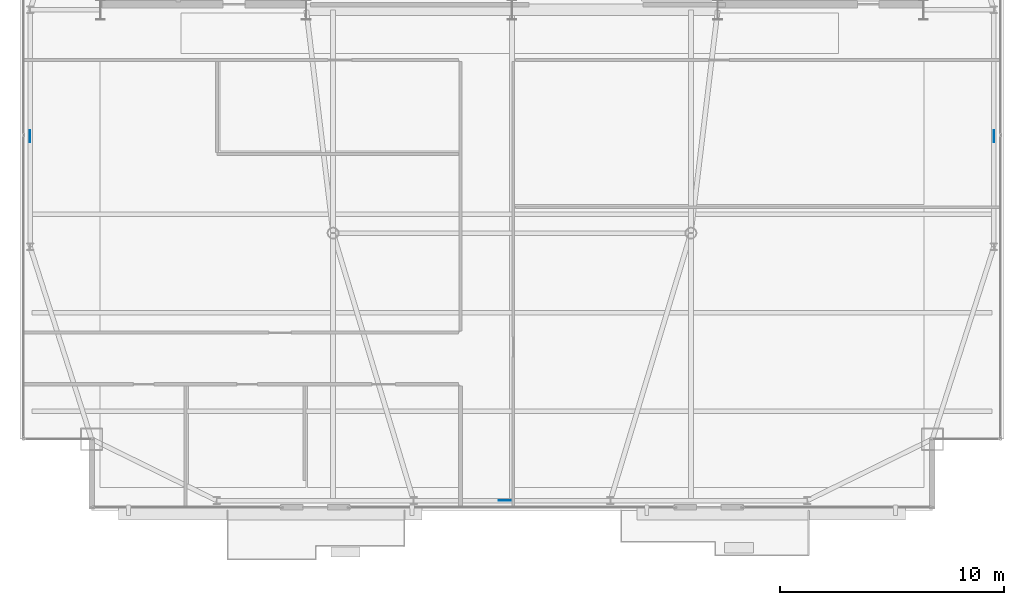
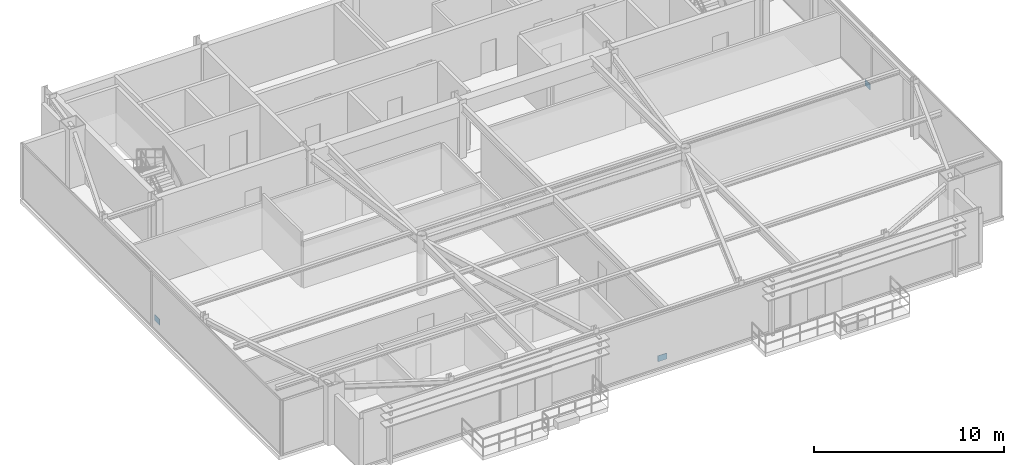
# One storey, part 19 of 24: 3 plates.
"""IFC4 building model written with IfcOpenShell, lengths in metres."""

import ifcopenshell
import ifcopenshell.guid

model = None  # the IFC model being written
_history = None  # IfcOwnerHistory: only IFC2X3 demands one
_inside = {}  # id of a spatial element -> (the spatial element, [elements in it])
_under = {}  # id of a project, library or spatial element -> (it, [spatial elements below it])
_declared = {}  # id of a project -> (the project, [libraries it declares])
_typed = {}  # id of a type object -> (the type object, [elements of that type])
_made_of = {}  # id of a material, layer set ... -> (it, [elements and type objects made of it])


def new_model(schema):
    """Start an empty IFC model of exactly this schema.

    Asked for "IFC4X3", IfcOpenShell would pick the latest addendum, in which some entities
    have other attributes; the version numbers below select the first issue.
    IFC2X3 requires an IfcOwnerHistory on every rooted entity: one is made here for all.
    """
    global model, _history
    if schema == "IFC4X3":
        model = ifcopenshell.file(schema_version=(4, 3, 0, 0))
    else:
        model = ifcopenshell.file(schema=schema)
    _inside.clear()
    _under.clear()
    _declared.clear()
    _typed.clear()
    _made_of.clear()
    _history = None
    if model.schema == "IFC2X3":
        org = make("IfcOrganization", Name="unknown")
        user = make(
            "IfcPersonAndOrganization",
            ThePerson=make("IfcPerson", FamilyName="unknown"),
            TheOrganization=org,
        )
        app = make(
            "IfcApplication",
            ApplicationDeveloper=org,
            Version="unknown",
            ApplicationFullName="unknown",
            ApplicationIdentifier="unknown",
        )
        _history = make(
            "IfcOwnerHistory",
            OwningUser=user,
            OwningApplication=app,
            ChangeAction="ADDED",
            CreationDate=0,
        )
    return model


def make(cls, **values):
    """One entity of the class cls with the attributes given. An attribute that is None is left unset."""
    return model.create_entity(
        cls, **{name: value for name, value in values.items() if value is not None}
    )


def rooted(cls, **values):
    """An entity with a GlobalId (a new one), such as an element, a storey or a relation."""
    return make(cls, GlobalId=ifcopenshell.guid.new(), OwnerHistory=_history, **values)


def si_unit(unit_type, name, prefix=None):
    """IfcSIUnit, for example si_unit("LENGTHUNIT", "METRE", prefix="MILLI")."""
    return make("IfcSIUnit", UnitType=unit_type, Prefix=prefix, Name=name)


def assignment(units):
    """IfcUnitAssignment: the units of a project."""
    return None if units is None else make("IfcUnitAssignment", Units=units)


def point(xyz):
    """IfcCartesianPoint."""
    return None if xyz is None else make("IfcCartesianPoint", Coordinates=xyz)


def direction(xyz):
    """IfcDirection."""
    return None if xyz is None else make("IfcDirection", DirectionRatios=xyz)


def frame(location, z_axis=None, x_axis=None):
    """IfcAxis2Placement3D, a coordinate frame: its origin and axes. An axis left out is left unset."""
    return make(
        "IfcAxis2Placement3D",
        Location=point(location),
        Axis=direction(z_axis),
        RefDirection=direction(x_axis),
    )


def frame_2d(location, x_axis=None):
    """IfcAxis2Placement2D, a coordinate frame in the plane: its origin and x axis."""
    return make(
        "IfcAxis2Placement2D", Location=point(location), RefDirection=direction(x_axis)
    )


def origin():
    """The frame at (0, 0, 0) with its axes left unset."""
    return frame((0.0, 0.0, 0.0))


def origin_2d():
    """The frame at (0, 0) in the plane with its x axis left unset."""
    return frame_2d((0.0, 0.0))


def place(relative_to, where):
    """IfcLocalPlacement: puts the frame where relative to a parent placement (None: the world)."""
    return make(
        "IfcLocalPlacement", PlacementRelTo=relative_to, RelativePlacement=where
    )


def context(
    kind, dimensions, precision=None, world=None, true_north=None, identifier=None
):
    """IfcGeometricRepresentationContext, for example the 3D "Model" context."""
    return make(
        "IfcGeometricRepresentationContext",
        ContextIdentifier=identifier,
        ContextType=kind,
        CoordinateSpaceDimension=dimensions,
        Precision=precision,
        WorldCoordinateSystem=world,
        TrueNorth=true_north,
    )


def subcontext(parent, identifier, kind, view, scale=None):
    """IfcGeometricRepresentationSubContext, for example "Body" below "Model"."""
    return make(
        "IfcGeometricRepresentationSubContext",
        ContextIdentifier=identifier,
        ContextType=kind,
        ParentContext=parent,
        TargetScale=scale,
        TargetView=view,
    )


def project(units=None, contexts=None):
    """IfcProject with its units and contexts."""
    return rooted(
        "IfcProject",
        Name="project",
        RepresentationContexts=contexts,
        UnitsInContext=assignment(units),
    )


def spatial(cls, under=None, at=None, **own):
    """A site, building, storey or space (cls), placed at a placement, below another one or the project."""
    s = rooted(cls, ObjectPlacement=at, **own)
    if under is not None:
        _under.setdefault(under.id(), (under, []))[1].append(s)
    return s


def profile(cls, at=None, kind="AREA", **sizes):
    """A parametric profile (cls). Its sizes go by their IFC names, for example OverallWidth=200.0."""
    return make(cls, ProfileType=kind, Position=at, **sizes)


def rectangle(**sizes):
    """IfcRectangleProfileDef."""
    return profile("IfcRectangleProfileDef", **sizes)


def extrude(swept, where, along, depth):
    """IfcExtrudedAreaSolid: the profile swept, set in the frame where, extruded along a direction by depth."""
    return make(
        "IfcExtrudedAreaSolid",
        SweptArea=swept,
        Position=where,
        ExtrudedDirection=direction(along),
        Depth=depth,
    )


def shape(context_of_items, identifier, shape_type, items):
    """IfcShapeRepresentation: the items that make up one representation, for example the "Body"."""
    return make(
        "IfcShapeRepresentation",
        ContextOfItems=context_of_items,
        RepresentationIdentifier=identifier,
        RepresentationType=shape_type,
        Items=items,
    )


def source(mapping_origin, context_of_items, identifier, shape_type, items):
    """IfcRepresentationMap: a shape defined once, which mapped items show again and again."""
    return make(
        "IfcRepresentationMap",
        MappingOrigin=mapping_origin,
        MappedRepresentation=shape(context_of_items, identifier, shape_type, items),
    )


def transform(
    local_origin,
    x_axis=None,
    y_axis=None,
    z_axis=None,
    scale=None,
    scale2=None,
    scale3=None,
    uniform=True,
):
    """IfcCartesianTransformationOperator3D, or its non-uniform kind. x_axis, y_axis, z_axis: its Axis1, 2, 3."""
    if uniform:
        return make(
            "IfcCartesianTransformationOperator3D",
            Axis1=direction(x_axis),
            Axis2=direction(y_axis),
            LocalOrigin=point(local_origin),
            Scale=scale,
            Axis3=direction(z_axis),
        )
    return make(
        "IfcCartesianTransformationOperator3DnonUniform",
        Axis1=direction(x_axis),
        Axis2=direction(y_axis),
        LocalOrigin=point(local_origin),
        Scale=scale,
        Axis3=direction(z_axis),
        Scale2=scale2,
        Scale3=scale3,
    )


def mapped(mapping_source, mapping_target):
    """IfcMappedItem: shows the shape of a source again, moved by a transform."""
    return make(
        "IfcMappedItem", MappingSource=mapping_source, MappingTarget=mapping_target
    )


def material(Name=None, Category=None):
    """IfcMaterial."""
    return make("IfcMaterial", Name=Name, Category=Category)


def layer(
    of_material, thickness, ventilated=None, Name=None, Category=None, Priority=None
):
    """IfcMaterialLayer: one layer of a wall or slab, of a material (None: an air gap)."""
    return make(
        "IfcMaterialLayer",
        Material=of_material,
        LayerThickness=thickness,
        IsVentilated=ventilated,
        Name=Name,
        Category=Category,
        Priority=Priority,
    )


def layer_set(layers, Name=None):
    """IfcMaterialLayerSet."""
    return make("IfcMaterialLayerSet", MaterialLayers=layers, LayerSetName=Name)


def made_of(thing, what):
    """Note that an element or type object is made of a material, layer set ...; save() writes the relation."""
    if what is not None:
        _made_of.setdefault(what.id(), (what, []))[1].append(thing)
    return thing


def type_object(cls, material=None, **own):
    """A type object (cls), such as IfcWallType, which elements share."""
    return made_of(rooted(cls, **own), material)


def type_shapes(of_type, sources):
    """Give a type object the sources (RepresentationMaps) that its elements show as mapped items."""
    of_type.RepresentationMaps = sources


def element(
    cls,
    number,
    at=None,
    inside=None,
    cuts=None,
    type_object=None,
    material=None,
    context=None,
    identifier="Body",
    shape_type=None,
    held_by="IfcProductDefinitionShape",
    body=None,
    shapes=None,
    **own,
):
    """One element of the class cls, such as IfcWall. Its Tag is "e" and its number.

    at: its placement. inside: the storey or other place that contains it. cuts: it is an
    opening in that element (IfcRelVoidsElement). A single representation is given by context,
    identifier, shape_type and body (its items); several are given by shapes. held_by: the class
    of the entity that holds the representations. save() writes the other relations.
    """
    e = rooted(cls, Tag="e%d" % number, ObjectPlacement=at, **own)
    if body is not None:
        shapes = [shape(context, identifier, shape_type, body)]
    if shapes is not None:
        e.Representation = make(held_by, Representations=shapes)
    if inside is not None:
        _inside.setdefault(inside.id(), (inside, []))[1].append(e)
    if cuts is not None:
        rooted(
            "IfcRelVoidsElement", RelatingBuildingElement=cuts, RelatedOpeningElement=e
        )
    if type_object is not None:
        _typed.setdefault(type_object.id(), (type_object, []))[1].append(e)
    return made_of(e, material)


def aggregate(whole, parts):
    """IfcRelAggregates: a whole, such as a stair, and the parts it consists of."""
    return rooted("IfcRelAggregates", RelatingObject=whole, RelatedObjects=parts)


def save(model, path):
    """Write the relations noted so far, then the file.

    IfcRelAggregates (storeys below a building ...), IfcRelContainedInSpatialStructure (elements
    in a storey), IfcRelDefinesByType, IfcRelAssociatesMaterial and IfcRelDeclares: one each for
    every whole, place, type object, material and project.
    """
    for whole, parts in _under.values():
        aggregate(whole, parts)
    for where, things in _inside.values():
        rooted(
            "IfcRelContainedInSpatialStructure",
            RelatedElements=things,
            RelatingStructure=where,
        )
    for kind, things in _typed.values():
        rooted("IfcRelDefinesByType", RelatedObjects=things, RelatingType=kind)
    for what, things in _made_of.values():
        rooted("IfcRelAssociatesMaterial", RelatedObjects=things, RelatingMaterial=what)
    for by, libraries in _declared.values():
        rooted("IfcRelDeclares", RelatingContext=by, RelatedDefinitions=libraries)
    model.write(path)


model = new_model("IFC4")

# Units and contexts
model_context = context("Model", 3, precision=1e-05, world=origin(), true_north=direction((0.0, 1.0)))
body_context = subcontext(model_context, "Body", "Model", "MODEL_VIEW")
ifc_project = project(units=[si_unit("LENGTHUNIT", "METRE"), si_unit("AREAUNIT", "SQUARE_METRE"), si_unit("VOLUMEUNIT", "CUBIC_METRE"), si_unit("PLANEANGLEUNIT", "RADIAN"), si_unit("MASSUNIT", "GRAM", prefix="KILO")], contexts=[model_context])

# Site, building, storey
site_placement = place(None, origin())
site = spatial("IfcSite", under=ifc_project, at=site_placement, CompositionType="ELEMENT")
building_placement = place(site_placement, origin())
building = spatial("IfcBuilding", under=site, at=building_placement, Name="Varnel Quay Broadcast Tower", CompositionType="ELEMENT")
storey_placement = place(building_placement, frame((0.0, 0.0, 281.199951171875)))
storey = spatial("IfcBuildingStorey", under=building, at=storey_placement, Name="L70", CompositionType="ELEMENT", Elevation=281.199951171875)

# Plates
ifc_material = material(Name="Structural Steel CSA G40.21 350WT", Category="steel")
ifc_layer = layer(ifc_material, 0.031982421875, Name="Structural Steel CSA G40.21 350WT")
ifc_layer_set = layer_set([ifc_layer], Name="Structural Steel CSA G40.21 350WT")
plate_type = type_object("IfcPlateType", Name="Plate_EndCap", PredefinedType="USERDEFINED", material=ifc_layer_set)
shared_shape = source(origin(), body_context, "Body", "SweptSolid", [
    extrude(rectangle(XDim=0.5400390625, YDim=0.031982421875, at=origin_2d()), origin(), (0.0, 0.0, 1.0), 0.3798828125),
])
type_shapes(plate_type, [shared_shape])
for number, where, z_axis, x_axis, name in (
    (1, (33.67626953125, 13.64990234375, 0.233642578125), (0.0, 0.0, 1.0), (1.0, 0.0, 0.0), "Zone 5 Mega-Brace S-C1T2 Diag B2 End Connection Plate P0"),
    (2, (12.449951171875, 29.94091796875, 0.190185546875), (0.0, 0.0, 1.0), (0.0, 1.0, 0.0), "Zone 5 Mega-Brace W-FT2 Diag B2 End Connection Plate P0"),
    (3, (55.550048828125, 29.94091796875, 0.190185546875), (0.0, 0.0, 1.0), (0.0, 1.0, 0.0), "Zone 5 Mega-Brace E-FT2 Diag B2 End Connection Plate P0"),
):
    element("IfcPlate", number, at=place(storey_placement, frame(where, z_axis=z_axis, x_axis=x_axis)), inside=storey, type_object=plate_type, Name=name, ObjectType="CAP_PLATE", PredefinedType="USERDEFINED", context=body_context, shape_type="MappedRepresentation", body=[
        mapped(shared_shape, transform((0.0, 0.0, 0.0), x_axis=(1.0, 0.0, 0.0), y_axis=(0.0, 1.0, 0.0), z_axis=(0.0, 0.0, 1.0), scale=1.0)),
    ])

save(model, "model.ifc")
